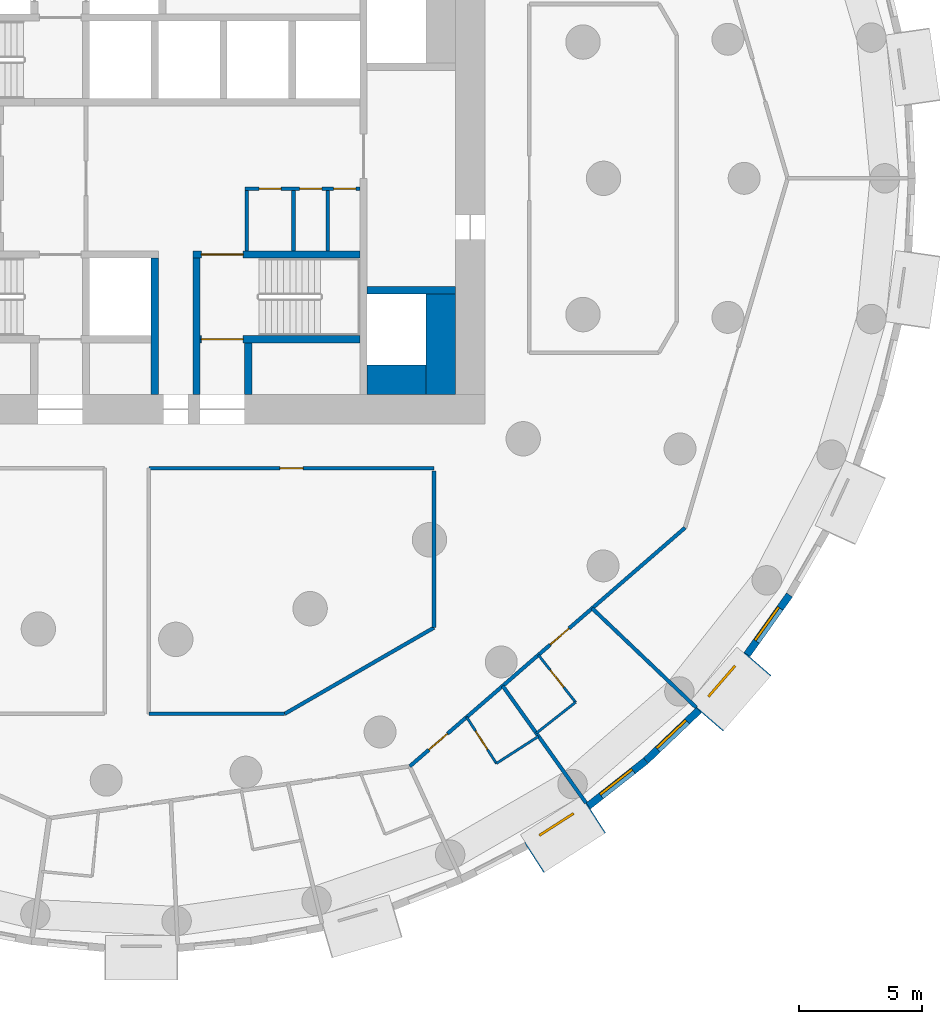
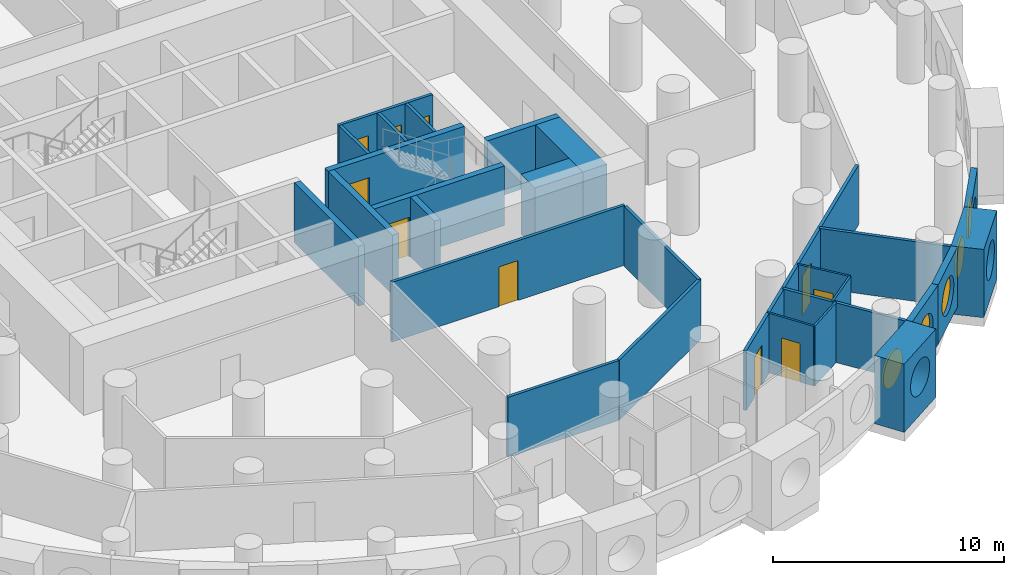
# One storey, part 5 of 11: 29 walls, 10 doors, 5 windows, 15 openings.
"""IFC4 building model written with IfcOpenShell, lengths in metres."""

from ifc_helpers import new_model, si_unit, direction, frame, frame_2d, origin, origin_2d, place, context, subcontext, project, spatial, rectangle, circle, extrude, material, layer, layer_set, type_object, element, fill, save


model = new_model("IFC4")

# Units and contexts
model_context = context("Model", 3, precision=1e-05, world=origin(), true_north=direction((0.0, 1.0)))
body_context = subcontext(model_context, "Body", "Model", "MODEL_VIEW")
ifc_project = project(units=[si_unit("LENGTHUNIT", "METRE"), si_unit("AREAUNIT", "SQUARE_METRE"), si_unit("VOLUMEUNIT", "CUBIC_METRE"), si_unit("PLANEANGLEUNIT", "RADIAN"), si_unit("MASSUNIT", "GRAM", prefix="KILO")], contexts=[model_context])

# Site, building, storey
site_placement = place(None, origin())
site = spatial("IfcSite", under=ifc_project, at=site_placement, CompositionType="ELEMENT")
building_placement = place(site_placement, origin())
building = spatial("IfcBuilding", under=site, at=building_placement, Name="Tracery Tower", CompositionType="ELEMENT")
storey_placement = place(building_placement, frame((0.0, 0.0, 100.199951171875)))
storey = spatial("IfcBuildingStorey", under=building, at=storey_placement, Name="L25", CompositionType="ELEMENT", Elevation=100.199951171875)

# Wall
ifc_material_1 = material(Name="Plasterboard on steel studs", Category="steel")
ifc_layer_1 = layer(ifc_material_1, 0.14990234375)
ifc_layer_set_1 = layer_set([ifc_layer_1], Name="Core room partition 150")
wall_type_1 = type_object("IfcWallType", Name="Core room partition 150", PredefinedType="SOLIDWALL", material=ifc_layer_set_1)
wall_1_placement = place(storey_placement, frame((4.300048828125, -2.949951171875, 0.0), z_axis=(0.0, 0.0, 1.0), x_axis=(0.0, 1.0, 0.0)))
element("IfcWall", 1, at=wall_1_placement, inside=storey, type_object=wall_type_1, Name="L25 slot W", PredefinedType="SOLIDWALL", context=body_context, shape_type="SweptSolid", body=[
    extrude(rectangle(XDim=2.449951171875, YDim=0.14990234375, at=frame_2d((1.22509765625, 0.0))), origin(), (0.0, 0.0, 1.0), 3.150146484375),
])

# Wall, openings, doors
wall_2_placement = place(storey_placement, frame((4.22509765625, -0.425048828125, 0.0), z_axis=(0.0, 0.0, 1.0), x_axis=(1.0, 0.0, 0.0)))
wall_2 = element("IfcWall", 2, at=wall_2_placement, inside=storey, type_object=wall_type_1, Name="L25 slot N", PredefinedType="SOLIDWALL", context=body_context, shape_type="SweptSolid", body=[
    extrude(rectangle(XDim=4.6748046875, YDim=0.14990234375, at=frame_2d((2.33740234375, 0.0))), origin(), (0.0, 0.0, 1.0), 3.150146484375),
])
opening_1_placement = place(wall_2_placement, frame((0.574951171875, 0.0, 0.0)))
opening_1 = element("IfcOpeningElement", 3, at=opening_1_placement, cuts=wall_2, Name="Opening KD22", PredefinedType="OPENING", context=body_context, shape_type="SweptSolid", body=[
    extrude(rectangle(XDim=0.89990234375, YDim=2.10009765625, at=frame_2d((0.449951171875, 1.050048828125))), frame((0.0, 0.074951171875, 0.0), z_axis=(0.0, -1.0, 0.0), x_axis=(1.0, 0.0, 0.0)), (0.0, 0.0, 1.0), 0.14990234375),
])
opening_2_placement = place(wall_2_placement, frame((2.22509765625, 0.0, 0.0)))
opening_2 = element("IfcOpeningElement", 4, at=opening_2_placement, cuts=wall_2, Name="Opening KD26", PredefinedType="OPENING", context=body_context, shape_type="SweptSolid", body=[
    extrude(rectangle(XDim=0.89990234375, YDim=2.10009765625, at=frame_2d((0.449951171875, 1.050048828125))), frame((0.0, 0.074951171875, 0.0), z_axis=(0.0, -1.0, 0.0), x_axis=(1.0, 0.0, 0.0)), (0.0, 0.0, 1.0), 0.14990234375),
])
opening_3_placement = place(wall_2_placement, frame((3.612548828125, 0.0, 0.0)))
opening_3 = element("IfcOpeningElement", 5, at=opening_3_placement, cuts=wall_2, Name="Opening KD27", PredefinedType="OPENING", context=body_context, shape_type="SweptSolid", body=[
    extrude(rectangle(XDim=0.89990234375, YDim=2.10009765625, at=frame_2d((0.449951171875, 1.050048828125))), frame((0.0, 0.074951171875, 0.0), z_axis=(0.0, -1.0, 0.0), x_axis=(1.0, 0.0, 0.0)), (0.0, 0.0, 1.0), 0.14990234375),
])
ifc_material_2 = material(Name="Timber door leaf", Category="wood")
door_type_1 = type_object("IfcDoorType", Name="Core WC door 900", OperationType="NOTDEFINED", PredefinedType="DOOR", material=ifc_material_2)
door_1_placement = place(opening_1_placement, origin())
door_1 = element("IfcDoor", 6, at=door_1_placement, inside=storey, type_object=door_type_1, Name="Core door", OperationType="SINGLE_SWING_RIGHT", OverallHeight=2.10009765625, OverallWidth=0.89990234375, PredefinedType="DOOR", context=body_context, shape_type="SweptSolid", body=[
    extrude(rectangle(XDim=0.89990234375, YDim=2.10009765625, at=frame_2d((0.449951171875, 1.050048828125))), frame((0.0, 0.02490234375, 0.0), z_axis=(0.0, -1.0, 0.0), x_axis=(1.0, 0.0, 0.0)), (0.0, 0.0, 1.0), 0.050048828125),
])
fill(opening_1, door_1)
ifc_material_3 = material(Name="Timber door leaf", Category="wood")
door_type_2 = type_object("IfcDoorType", Name="Core store door 900", OperationType="NOTDEFINED", PredefinedType="DOOR", material=ifc_material_3)
door_2_placement = place(opening_2_placement, origin())
door_2 = element("IfcDoor", 7, at=door_2_placement, inside=storey, type_object=door_type_2, Name="Core door", OperationType="SINGLE_SWING_LEFT", OverallHeight=2.10009765625, OverallWidth=0.89990234375, PredefinedType="DOOR", context=body_context, shape_type="SweptSolid", body=[
    extrude(rectangle(XDim=0.89990234375, YDim=2.10009765625, at=frame_2d((0.449951171875, 1.050048828125))), frame((0.0, 0.02490234375, 0.0), z_axis=(0.0, -1.0, 0.0), x_axis=(1.0, 0.0, 0.0)), (0.0, 0.0, 1.0), 0.050048828125),
])
fill(opening_2, door_2)
door_3_placement = place(opening_3_placement, origin())
door_3 = element("IfcDoor", 8, at=door_3_placement, inside=storey, type_object=door_type_2, Name="Core door", OperationType="SINGLE_SWING_RIGHT", OverallHeight=2.10009765625, OverallWidth=0.89990234375, PredefinedType="DOOR", context=body_context, shape_type="SweptSolid", body=[
    extrude(rectangle(XDim=0.89990234375, YDim=2.10009765625, at=frame_2d((0.449951171875, 1.050048828125))), frame((0.0, 0.02490234375, 0.0), z_axis=(0.0, -1.0, 0.0), x_axis=(1.0, 0.0, 0.0)), (0.0, 0.0, 1.0), 0.050048828125),
])
fill(opening_3, door_3)

# Walls
for number, where, z_axis, x_axis, name in (
    (9, (6.199951171875, -2.949951171875, 0.0), (0.0, 0.0, 1.0), (0.0, 1.0, 0.0), "L25 slot sep 1"),
    (10, (7.60009765625, -2.949951171875, 0.0), (0.0, 0.0, 1.0), (0.0, 1.0, 0.0), "L25 slot sep 2"),
):
    element("IfcWall", number, at=place(storey_placement, frame(where, z_axis=z_axis, x_axis=x_axis)), inside=storey, type_object=wall_type_1, Name=name, PredefinedType="SOLIDWALL", context=body_context, shape_type="SweptSolid", body=[
        extrude(rectangle(XDim=2.449951171875, YDim=0.14990234375, at=frame_2d((1.22509765625, 0.0))), origin(), (0.0, 0.0, 1.0), 3.150146484375),
    ])
ifc_material_4 = material(Name="Concrete C60/75", Category="concrete")
ifc_layer_2 = layer(ifc_material_4, 1.199951171875)
ifc_layer_set_2 = layer_set([ifc_layer_2], Name="Core strip wall 1200 C60")
wall_type_2 = type_object("IfcWallType", Name="Core strip wall 1200 C60", PredefinedType="SOLIDWALL", material=ifc_layer_set_2)
wall_3_placement = place(storey_placement, frame((12.199951171875, -8.800048828125, 0.0), z_axis=(0.0, 0.0, 1.0), x_axis=(0.0, 1.0, 0.0)))
element("IfcWall", 11, at=wall_3_placement, inside=storey, type_object=wall_type_2, Name="L25 wing strip +1 -9.4", PredefinedType="SOLIDWALL", context=body_context, shape_type="SweptSolid", body=[
    extrude(rectangle(XDim=4.10009765625, YDim=1.199951171875, at=frame_2d((2.050048828125, 0.0))), origin(), (0.0, 0.0, 1.0), 3.150146484375),
])
wall_4_placement = place(storey_placement, frame((9.199951171875, -8.199951171875, 0.0), z_axis=(0.0, 0.0, 1.0), x_axis=(1.0, 0.0, 0.0)))
element("IfcWall", 12, at=wall_4_placement, inside=storey, type_object=wall_type_2, Name="L25 wing corner +1 -8.2", PredefinedType="SOLIDWALL", context=body_context, shape_type="SweptSolid", body=[
    extrude(rectangle(XDim=2.400146484375, YDim=1.199951171875, at=frame_2d((1.2001953125, 0.0))), origin(), (0.0, 0.0, 1.0), 3.150146484375),
])

# Wall, opening, window
ifc_material_5 = material(Name="Precast concrete C50/60", Category="concrete")
ifc_layer_3 = layer(ifc_material_5, 1.449951171875)
ifc_layer_set_3 = layer_set([ifc_layer_3], Name="Deep-set bay unit 3000 x 3600, slab edge 450")
wall_type_3 = type_object("IfcWallType", Name="Deep-set bay unit 3000 x 3600, slab edge 450", PredefinedType="ELEMENTEDWALL", material=ifc_layer_set_3)
wall_5_placement = place(storey_placement, frame((15.9921875, -27.65869140625, -0.449951171875), z_axis=(0.0, 0.0, 1.0), x_axis=(0.841223422347, 0.540687667415, 0.0)))
wall_5 = element("IfcWall", 13, at=wall_5_placement, inside=storey, type_object=wall_type_3, Name="Deep-set bay unit 56 at L25", PredefinedType="ELEMENTEDWALL", context=body_context, shape_type="SweptSolid", body=[
    extrude(rectangle(XDim=3.0, YDim=1.449951171875, at=frame_2d((1.5, 0.0))), origin(), (0.0, 0.0, 1.0), 3.60009765625),
])
opening_4_placement = place(wall_5_placement, frame((1.5, 0.0, 2.0)))
opening_4 = element("IfcOpeningElement", 14, at=opening_4_placement, cuts=wall_5, Name="Opening WN1", PredefinedType="OPENING", context=body_context, shape_type="SweptSolid", body=[
    extrude(circle(Radius=0.9000244140625, at=origin_2d()), frame((0.0, 0.73486328125, 0.0), z_axis=(0.0, -1.0, 0.0), x_axis=(1.0, 0.0, 0.0)), (0.0, 0.0, 1.0), 1.469970703125),
])
ifc_material_6 = material(Name="Aluminium frame with tinted double glazing", Category="aluminium")
window_type = type_object("IfcWindowType", Name="Round window 1800", PartitioningType="SINGLE_PANEL", PredefinedType="WINDOW", material=ifc_material_6)
window_1_placement = place(opening_4_placement, origin())
window_1 = element("IfcWindow", 15, at=window_1_placement, inside=storey, type_object=window_type, Name="Round window 56 at L25", OverallHeight=1.800048828125, OverallWidth=1.800048828125, PartitioningType="SINGLE_PANEL", PredefinedType="WINDOW", context=body_context, shape_type="SweptSolid", body=[
    extrude(circle(Radius=0.9000244140625, at=origin_2d()), frame((0.0, 0.69482421875, 0.0), z_axis=(0.0, -1.0, 0.0), x_axis=(1.0, 0.0, 0.0)), (0.0, 0.0, 1.0), 0.10009765625),
])
fill(opening_4, window_1)

wall_6_placement = place(storey_placement, frame((23.13671875, -22.03271484375, -0.449951171875), z_axis=(0.0, 0.0, 1.0), x_axis=(0.654890259022, 0.75572398972, 0.0)))
wall_6 = element("IfcWall", 16, at=wall_6_placement, inside=storey, type_object=wall_type_3, Name="Deep-set bay unit 59 at L25", PredefinedType="ELEMENTEDWALL", context=body_context, shape_type="SweptSolid", body=[
    extrude(rectangle(XDim=3.0, YDim=1.449951171875, at=frame_2d((1.5, 0.0))), origin(), (0.0, 0.0, 1.0), 3.60009765625),
])
opening_5_placement = place(wall_6_placement, frame((1.5, 0.0, 2.0)))
opening_5 = element("IfcOpeningElement", 17, at=opening_5_placement, cuts=wall_6, Name="Opening WN1", PredefinedType="OPENING", context=body_context, shape_type="SweptSolid", body=[
    extrude(circle(Radius=0.9000244140625, at=origin_2d()), frame((0.0, 0.73486328125, 0.0), z_axis=(0.0, -1.0, 0.0), x_axis=(1.0, 0.0, 0.0)), (0.0, 0.0, 1.0), 1.469970703125),
])
window_2_placement = place(opening_5_placement, origin())
window_2 = element("IfcWindow", 18, at=window_2_placement, inside=storey, type_object=window_type, Name="Round window 59 at L25", OverallHeight=1.800048828125, OverallWidth=1.800048828125, PartitioningType="SINGLE_PANEL", PredefinedType="WINDOW", context=body_context, shape_type="SweptSolid", body=[
    extrude(circle(Radius=0.9000244140625, at=origin_2d()), frame((0.0, 0.69482421875, 0.0), z_axis=(0.0, -1.0, 0.0), x_axis=(1.0, 0.0, 0.0)), (0.0, 0.0, 1.0), 0.10009765625),
])
fill(opening_5, window_2)

ifc_material_7 = material(Name="Precast concrete C50/60", Category="concrete")
ifc_layer_4 = layer(ifc_material_7, 0.300048828125)
ifc_layer_set_4 = layer_set([ifc_layer_4], Name="Facade panel 3000 x 3150")
wall_type_4 = type_object("IfcWallType", Name="Facade panel 3000 x 3150", PredefinedType="SOLIDWALL", material=ifc_layer_set_4)
wall_7_placement = place(storey_placement, frame((18.20361328125, -25.55322265625, 0.0), z_axis=(0.0, 0.0, 1.0), x_axis=(0.786045331304, 0.618168858108, 0.0)))
wall_7 = element("IfcWall", 19, at=wall_7_placement, inside=storey, type_object=wall_type_4, Name="Facade panel 57 at L25", PredefinedType="SOLIDWALL", context=body_context, shape_type="SweptSolid", body=[
    extrude(rectangle(XDim=2.979736328125, YDim=0.300048828125, at=frame_2d((1.48974609375, 0.0))), origin(), (0.0, 0.0, 1.0), 3.150146484375),
])
opening_6_placement = place(wall_7_placement, frame((1.48974609375, 0.0, 1.5498046875)))
opening_6 = element("IfcOpeningElement", 20, at=opening_6_placement, cuts=wall_7, Name="Opening WN1", PredefinedType="OPENING", context=body_context, shape_type="SweptSolid", body=[
    extrude(circle(Radius=0.9000244140625, at=origin_2d()), frame((0.0, 0.159912109375, 0.0), z_axis=(0.0, -1.0, 0.0), x_axis=(1.0, 0.0, 0.0)), (0.0, 0.0, 1.0), 0.320068359375),
])
window_3_placement = place(opening_6_placement, origin())
window_3 = element("IfcWindow", 21, at=window_3_placement, inside=storey, type_object=window_type, Name="Round window 57 at L25", OverallHeight=1.800048828125, OverallWidth=1.800048828125, PartitioningType="SINGLE_PANEL", PredefinedType="WINDOW", context=body_context, shape_type="SweptSolid", body=[
    extrude(circle(Radius=0.9000244140625, at=origin_2d()), frame((0.0, 0.1201171875, 0.0), z_axis=(0.0, -1.0, 0.0), x_axis=(1.0, 0.0, 0.0)), (0.0, 0.0, 1.0), 0.10009765625),
])
fill(opening_6, window_3)

wall_8_placement = place(storey_placement, frame((20.5458984375, -23.711181640625, 0.0), z_axis=(0.0, 0.0, 1.0), x_axis=(0.723744206617, 0.690068346896, 0.0)))
wall_8 = element("IfcWall", 22, at=wall_8_placement, inside=storey, type_object=wall_type_4, Name="Facade panel 58 at L25", PredefinedType="SOLIDWALL", context=body_context, shape_type="SweptSolid", body=[
    extrude(rectangle(XDim=2.979736328125, YDim=0.300048828125, at=frame_2d((1.48974609375, 0.0))), origin(), (0.0, 0.0, 1.0), 3.150146484375),
])
opening_7_placement = place(wall_8_placement, frame((1.48974609375, 0.0, 1.5498046875)))
opening_7 = element("IfcOpeningElement", 23, at=opening_7_placement, cuts=wall_8, Name="Opening WN1", PredefinedType="OPENING", context=body_context, shape_type="SweptSolid", body=[
    extrude(circle(Radius=0.9000244140625, at=origin_2d()), frame((0.0, 0.159912109375, 0.0), z_axis=(0.0, -1.0, 0.0), x_axis=(1.0, 0.0, 0.0)), (0.0, 0.0, 1.0), 0.320068359375),
])
window_4_placement = place(opening_7_placement, origin())
window_4 = element("IfcWindow", 24, at=window_4_placement, inside=storey, type_object=window_type, Name="Round window 58 at L25", OverallHeight=1.800048828125, OverallWidth=1.800048828125, PartitioningType="SINGLE_PANEL", PredefinedType="WINDOW", context=body_context, shape_type="SweptSolid", body=[
    extrude(circle(Radius=0.9000244140625, at=origin_2d()), frame((0.0, 0.1201171875, 0.0), z_axis=(0.0, -1.0, 0.0), x_axis=(1.0, 0.0, 0.0)), (0.0, 0.0, 1.0), 0.10009765625),
])
fill(opening_7, window_4)

wall_9_placement = place(storey_placement, frame((24.66552734375, -19.389404296875, 0.0), z_axis=(0.0, 0.0, 1.0), x_axis=(0.580059407678, 0.81457417315, 0.0)))
wall_9 = element("IfcWall", 25, at=wall_9_placement, inside=storey, type_object=wall_type_4, Name="Facade panel 60 at L25", PredefinedType="SOLIDWALL", context=body_context, shape_type="SweptSolid", body=[
    extrude(rectangle(XDim=2.9794921875, YDim=0.300048828125, at=frame_2d((1.48974609375, 0.0))), origin(), (0.0, 0.0, 1.0), 3.150146484375),
])
opening_8_placement = place(wall_9_placement, frame((1.48974609375, 0.0, 1.5498046875)))
opening_8 = element("IfcOpeningElement", 26, at=opening_8_placement, cuts=wall_9, Name="Opening WN1", PredefinedType="OPENING", context=body_context, shape_type="SweptSolid", body=[
    extrude(circle(Radius=0.9000244140625, at=origin_2d()), frame((0.0, 0.159912109375, 0.0), z_axis=(0.0, -1.0, 0.0), x_axis=(1.0, 0.0, 0.0)), (0.0, 0.0, 1.0), 0.320068359375),
])
window_5_placement = place(opening_8_placement, origin())
window_5 = element("IfcWindow", 27, at=window_5_placement, inside=storey, type_object=window_type, Name="Round window 60 at L25", OverallHeight=1.800048828125, OverallWidth=1.800048828125, PartitioningType="SINGLE_PANEL", PredefinedType="WINDOW", context=body_context, shape_type="SweptSolid", body=[
    extrude(circle(Radius=0.9000244140625, at=origin_2d()), frame((0.0, 0.1201171875, 0.0), z_axis=(0.0, -1.0, 0.0), x_axis=(1.0, 0.0, 0.0)), (0.0, 0.0, 1.0), 0.10009765625),
])
fill(opening_8, window_5)

# Wall, opening, door
ifc_material_8 = material(Name="Plasterboard on steel studs", Category="steel")
ifc_layer_5 = layer(ifc_material_8, 0.10009765625)
ifc_layer_set_5 = layer_set([ifc_layer_5], Name="Partition 100 wet wall")
wall_type_5 = type_object("IfcWallType", Name="Partition 100 wet wall", PredefinedType="PARTITIONING", material=ifc_layer_set_5)
wall_10_placement = place(storey_placement, frame((13.248046875, -21.93505859375, 0.0), z_axis=(0.0, 0.0, 1.0), x_axis=(0.540597960994, -0.841281073464, 0.0)))
wall_10 = element("IfcWall", 28, at=wall_10_placement, inside=storey, type_object=wall_type_5, Name="Wet wall RA7-082", PredefinedType="PARTITIONING", context=body_context, shape_type="SweptSolid", body=[
    extrude(rectangle(XDim=2.24169921875, YDim=0.10009765625, at=frame_2d((1.120849609375, 0.0))), origin(), (0.0, 0.0, 1.0), 3.150146484375),
])
opening_9_placement = place(wall_10_placement, frame((0.6708984375, 0.0, 0.0)))
opening_9 = element("IfcOpeningElement", 29, at=opening_9_placement, cuts=wall_10, Name="Opening RA7-33", PredefinedType="OPENING", context=body_context, shape_type="SweptSolid", body=[
    extrude(rectangle(XDim=0.89990234375, YDim=2.0400390625, at=frame_2d((0.449951171875, 1.02001953125))), frame((0.0, 0.050048828125, 0.0), z_axis=(0.0, -1.0, 0.0), x_axis=(1.0, 0.0, 0.0)), (0.0, 0.0, 1.0), 0.10009765625),
])
ifc_material_9 = material(Name="Timber door leaf", Category="wood")
door_type_3 = type_object("IfcDoorType", Name="Door en-suite 900", OperationType="NOTDEFINED", PredefinedType="DOOR", material=ifc_material_9)
door_4_placement = place(opening_9_placement, origin())
door_4 = element("IfcDoor", 30, at=door_4_placement, inside=storey, type_object=door_type_3, Name="En-suite door RA7-33", OperationType="SINGLE_SWING_RIGHT", OverallHeight=2.0400390625, OverallWidth=0.89990234375, PredefinedType="DOOR", context=body_context, shape_type="SweptSolid", body=[
    extrude(rectangle(XDim=0.89990234375, YDim=2.0400390625, at=frame_2d((0.449951171875, 1.02001953125))), frame((0.0, 0.02490234375, 0.0), z_axis=(0.0, -1.0, 0.0), x_axis=(1.0, 0.0, 0.0)), (0.0, 0.0, 1.0), 0.050048828125),
])
fill(opening_9, door_4)

# Walls
wall_11_placement = place(storey_placement, frame((14.4599609375, -23.821044921875, 0.0), z_axis=(0.0, 0.0, 1.0), x_axis=(0.841135728185, 0.540824081168, 0.0)))
element("IfcWall", 31, at=wall_11_placement, inside=storey, type_object=wall_type_5, Name="Wet wall RA7-083", PredefinedType="PARTITIONING", context=body_context, shape_type="SweptSolid", body=[
    extrude(rectangle(XDim=2.041259765625, YDim=0.10009765625, at=frame_2d((1.0205078125, 0.0))), origin(), (0.0, 0.0, 1.0), 3.150146484375),
])
wall_12_placement = place(storey_placement, frame((16.0859375, -22.589111328125, 0.0), z_axis=(0.0, 0.0, 1.0), x_axis=(0.785984904201, 0.618245687707, 0.0)))
element("IfcWall", 32, at=wall_12_placement, inside=storey, type_object=wall_type_5, Name="Wet wall RA7-085", PredefinedType="PARTITIONING", context=body_context, shape_type="SweptSolid", body=[
    extrude(rectangle(XDim=2.033203125, YDim=0.10009765625, at=frame_2d((1.0166015625, 0.0))), origin(), (0.0, 0.0, 1.0), 3.150146484375),
])

# Wall, opening, door
wall_13_placement = place(storey_placement, frame((16.16796875, -19.404052734375, 0.0), z_axis=(0.0, 0.0, 1.0), x_axis=(0.618142414415, -0.786066126672, 0.0)))
wall_13 = element("IfcWall", 33, at=wall_13_placement, inside=storey, type_object=wall_type_5, Name="Wet wall RA7-086", PredefinedType="PARTITIONING", context=body_context, shape_type="SweptSolid", body=[
    extrude(rectangle(XDim=2.45263671875, YDim=0.10009765625, at=frame_2d((1.226318359375, 0.0))), origin(), (0.0, 0.0, 1.0), 3.150146484375),
])
opening_10_placement = place(wall_13_placement, frame((0.776611328125, 0.0, 0.0)))
opening_10 = element("IfcOpeningElement", 34, at=opening_10_placement, cuts=wall_13, Name="Opening RA7-35", PredefinedType="OPENING", context=body_context, shape_type="SweptSolid", body=[
    extrude(rectangle(XDim=0.89990234375, YDim=2.0400390625, at=frame_2d((0.449951171875, 1.02001953125))), frame((0.0, 0.050048828125, 0.0), z_axis=(0.0, -1.0, 0.0), x_axis=(1.0, 0.0, 0.0)), (0.0, 0.0, 1.0), 0.10009765625),
])
door_5_placement = place(opening_10_placement, origin())
door_5 = element("IfcDoor", 35, at=door_5_placement, inside=storey, type_object=door_type_3, Name="En-suite door RA7-35", OperationType="SINGLE_SWING_LEFT", OverallHeight=2.0400390625, OverallWidth=0.89990234375, PredefinedType="DOOR", context=body_context, shape_type="SweptSolid", body=[
    extrude(rectangle(XDim=0.89990234375, YDim=2.0400390625, at=frame_2d((0.449951171875, 1.02001953125))), frame((0.0, 0.02490234375, 0.0), z_axis=(0.0, -1.0, 0.0), x_axis=(1.0, 0.0, 0.0)), (0.0, 0.0, 1.0), 0.050048828125),
])
fill(opening_10, door_5)

# Walls
ifc_material_10 = material(Name="Plasterboard on steel studs", Category="steel")
ifc_layer_6 = layer(ifc_material_10, 0.14990234375)
ifc_layer_set_6 = layer_set([ifc_layer_6], Name="Partition 150 acoustic unit wall")
wall_type_6 = type_object("IfcWallType", Name="Partition 150 acoustic unit wall", PredefinedType="PARTITIONING", material=ifc_layer_set_6)
wall_14_placement = place(storey_placement, frame((14.71533203125, -20.663818359375, 0.0), z_axis=(0.0, 0.0, 1.0), x_axis=(0.57995989616, -0.814645026282, 0.0)))
element("IfcWall", 36, at=wall_14_placement, inside=storey, type_object=wall_type_6, Name="Unit wall RA7-084", PredefinedType="PARTITIONING", context=body_context, shape_type="SweptSolid", body=[
    extrude(rectangle(XDim=5.85693359375, YDim=0.14990234375, at=frame_2d((2.928466796875, 0.0))), origin(), (0.0, 0.0, 1.0), 3.150146484375),
])
wall_15_placement = place(storey_placement, frame((18.35888671875, -17.506103515625, 0.0), z_axis=(0.0, 0.0, 1.0), x_axis=(0.723808715798, -0.690000683286, 0.0)))
element("IfcWall", 37, at=wall_15_placement, inside=storey, type_object=wall_type_6, Name="Unit wall RA7-087", PredefinedType="PARTITIONING", context=body_context, shape_type="SweptSolid", body=[
    extrude(rectangle(XDim=5.8564453125, YDim=0.14990234375, at=frame_2d((2.92822265625, 0.0))), origin(), (0.0, 0.0, 1.0), 3.150146484375),
])

# Wall, opening, door
ifc_material_11 = material(Name="Plasterboard on steel studs", Category="steel")
ifc_layer_7 = layer(ifc_material_11, 0.14990234375)
ifc_layer_set_7 = layer_set([ifc_layer_7], Name="Partition 150 corridor wall")
wall_type_7 = type_object("IfcWallType", Name="Partition 150 corridor wall", PredefinedType="PARTITIONING", material=ifc_layer_set_7)
wall_16_placement = place(storey_placement, frame((0.305908203125, -11.800048828125, 0.0), z_axis=(0.0, 0.0, 1.0), x_axis=(1.0, 0.0, 0.0)))
wall_16 = element("IfcWall", 38, at=wall_16_placement, inside=storey, type_object=wall_type_7, Name="Corridor wall RA7-004", PredefinedType="PARTITIONING", context=body_context, shape_type="SweptSolid", body=[
    extrude(rectangle(XDim=11.6181640625, YDim=0.14990234375, at=frame_2d((5.80908203125, 0.0))), origin(), (0.0, 0.0, 1.0), 3.150146484375),
])
opening_11_placement = place(wall_16_placement, frame((5.333984375, 0.0, 0.0)))
opening_11 = element("IfcOpeningElement", 39, at=opening_11_placement, cuts=wall_16, Name="Opening RA7-04", PredefinedType="OPENING", context=body_context, shape_type="SweptSolid", body=[
    extrude(rectangle(XDim=0.949951171875, YDim=2.10009765625, at=frame_2d((0.47509765625, 1.050048828125))), frame((0.0, 0.074951171875, 0.0), z_axis=(0.0, -1.0, 0.0), x_axis=(1.0, 0.0, 0.0)), (0.0, 0.0, 1.0), 0.14990234375),
])
ifc_material_12 = material(Name="Timber door leaf", Category="wood")
door_type_4 = type_object("IfcDoorType", Name="Door store 950", OperationType="NOTDEFINED", PredefinedType="DOOR", material=ifc_material_12)
door_6_placement = place(opening_11_placement, origin())
door_6 = element("IfcDoor", 40, at=door_6_placement, inside=storey, type_object=door_type_4, Name="Store door RA7-04", OperationType="SINGLE_SWING_LEFT", OverallHeight=2.10009765625, OverallWidth=0.949951171875, PredefinedType="DOOR", context=body_context, shape_type="SweptSolid", body=[
    extrude(rectangle(XDim=0.949951171875, YDim=2.10009765625, at=frame_2d((0.47509765625, 1.050048828125))), frame((0.0, 0.02490234375, 0.0), z_axis=(0.0, -1.0, 0.0), x_axis=(1.0, 0.0, 0.0)), (0.0, 0.0, 1.0), 0.050048828125),
])
fill(opening_11, door_6)

wall_17_placement = place(storey_placement, frame((13.247314453125, -21.939453125, 0.0), z_axis=(0.0, 0.0, 1.0), x_axis=(0.755420750547, 0.655240024451, 0.0)))
wall_17 = element("IfcWall", 41, at=wall_17_placement, inside=storey, type_object=wall_type_7, Name="Corridor wall RA7-014", PredefinedType="PARTITIONING", context=body_context, shape_type="SweptSolid", body=[
    extrude(rectangle(XDim=11.770751953125, YDim=0.14990234375, at=frame_2d((5.88525390625, 0.0))), origin(), (0.0, 0.0, 1.0), 3.150146484375),
])
opening_12_placement = place(wall_17_placement, frame((4.512939453125, 0.0, 0.0)))
opening_12 = element("IfcOpeningElement", 42, at=opening_12_placement, cuts=wall_17, Name="Opening RA7-36", PredefinedType="OPENING", context=body_context, shape_type="SweptSolid", body=[
    extrude(rectangle(XDim=1.0, YDim=2.10009765625, at=frame_2d((0.5, 1.050048828125))), frame((0.0, 0.074951171875, 0.0), z_axis=(0.0, -1.0, 0.0), x_axis=(1.0, 0.0, 0.0)), (0.0, 0.0, 1.0), 0.14990234375),
])
ifc_material_13 = material(Name="Timber door leaf", Category="wood")
door_type_5 = type_object("IfcDoorType", Name="Door unit entrance 1000", OperationType="NOTDEFINED", PredefinedType="DOOR", material=ifc_material_13)
door_7_placement = place(opening_12_placement, origin())
door_7 = element("IfcDoor", 43, at=door_7_placement, inside=storey, type_object=door_type_5, Name="Unit entrance door RA7-36", OperationType="SINGLE_SWING_LEFT", OverallHeight=2.10009765625, OverallWidth=1.0, PredefinedType="DOOR", context=body_context, shape_type="SweptSolid", body=[
    extrude(rectangle(XDim=1.0, YDim=2.10009765625, at=frame_2d((0.5, 1.050048828125))), frame((0.0, 0.02490234375, 0.0), z_axis=(0.0, -1.0, 0.0), x_axis=(1.0, 0.0, 0.0)), (0.0, 0.0, 1.0), 0.050048828125),
])
fill(opening_12, door_7)

# Walls
wall_18_placement = place(storey_placement, frame((0.31005859375, -21.802001953125, 0.0), z_axis=(0.0, 0.0, 1.0), x_axis=(1.0, 0.0, 0.0)))
element("IfcWall", 44, at=wall_18_placement, inside=storey, type_object=wall_type_7, Name="Corridor wall RA7-040", PredefinedType="PARTITIONING", context=body_context, shape_type="SweptSolid", body=[
    extrude(rectangle(XDim=5.531982421875, YDim=0.14990234375, at=frame_2d((2.76611328125, 0.0))), origin(), (0.0, 0.0, 1.0), 3.150146484375),
])
wall_19_placement = place(storey_placement, frame((5.842041015625, -21.802001953125, 0.0), z_axis=(0.0, 0.0, 1.0), x_axis=(0.866027436592, 0.499996479058, 0.0)))
element("IfcWall", 45, at=wall_19_placement, inside=storey, type_object=wall_type_7, Name="Corridor wall RA7-041", PredefinedType="PARTITIONING", context=body_context, shape_type="SweptSolid", body=[
    extrude(rectangle(XDim=7.01806640625, YDim=0.14990234375, at=frame_2d((3.509033203125, 0.0))), origin(), (0.0, 0.0, 1.0), 3.150146484375),
])
wall_20_placement = place(storey_placement, frame((11.919921875, -18.29296875, 0.0), z_axis=(0.0, 0.0, 1.0), x_axis=(0.0, 1.0, 0.0)))
element("IfcWall", 46, at=wall_20_placement, inside=storey, type_object=wall_type_7, Name="Corridor wall RA7-042", PredefinedType="PARTITIONING", context=body_context, shape_type="SweptSolid", body=[
    extrude(rectangle(XDim=6.373046875, YDim=0.14990234375, at=frame_2d((3.1865234375, 0.0))), origin(), (0.0, 0.0, 1.0), 3.150146484375),
])

# Wall, opening, door
wall_21_placement = place(storey_placement, frame((10.93310546875, -23.93994140625, 0.0), z_axis=(0.0, 0.0, 1.0), x_axis=(0.755675945931, 0.654945696025, 0.0)))
wall_21 = element("IfcWall", 47, at=wall_21_placement, inside=storey, type_object=wall_type_7, Name="Corridor wall RA7-045", PredefinedType="PARTITIONING", context=body_context, shape_type="SweptSolid", body=[
    extrude(rectangle(XDim=3.06591796875, YDim=0.14990234375, at=frame_2d((1.532958984375, 0.0))), origin(), (0.0, 0.0, 1.0), 3.150146484375),
])
opening_13_placement = place(wall_21_placement, frame((1.032958984375, 0.0, 0.0)))
opening_13 = element("IfcOpeningElement", 48, at=opening_13_placement, cuts=wall_21, Name="Opening RA7-34", PredefinedType="OPENING", context=body_context, shape_type="SweptSolid", body=[
    extrude(rectangle(XDim=1.0, YDim=2.10009765625, at=frame_2d((0.5, 1.050048828125))), frame((0.0, 0.074951171875, 0.0), z_axis=(0.0, -1.0, 0.0), x_axis=(1.0, 0.0, 0.0)), (0.0, 0.0, 1.0), 0.14990234375),
])
door_8_placement = place(opening_13_placement, origin())
door_8 = element("IfcDoor", 49, at=door_8_placement, inside=storey, type_object=door_type_5, Name="Unit entrance door RA7-34", OperationType="SINGLE_SWING_LEFT", OverallHeight=2.10009765625, OverallWidth=1.0, PredefinedType="DOOR", context=body_context, shape_type="SweptSolid", body=[
    extrude(rectangle(XDim=1.0, YDim=2.10009765625, at=frame_2d((0.5, 1.050048828125))), frame((0.0, 0.02490234375, 0.0), z_axis=(0.0, -1.0, 0.0), x_axis=(1.0, 0.0, 0.0)), (0.0, 0.0, 1.0), 0.050048828125),
])
fill(opening_13, door_8)

# Walls
ifc_material_14 = material(Name="Concrete C60/75", Category="concrete")
ifc_layer_8 = layer(ifc_material_14, 0.300048828125)
ifc_layer_set_8 = layer_set([ifc_layer_8], Name="Shaft wall 300 C60")
wall_type_8 = type_object("IfcWallType", Name="Shaft wall 300 C60", PredefinedType="SOLIDWALL", material=ifc_layer_set_8)
wall_22_placement = place(storey_placement, frame((0.550048828125, -8.800048828125, 0.0), z_axis=(0.0, 0.0, 1.0), x_axis=(0.0, 1.0, 0.0)))
element("IfcWall", 50, at=wall_22_placement, inside=storey, type_object=wall_type_8, Name="L25 OB2 E", PredefinedType="SOLIDWALL", context=body_context, shape_type="SweptSolid", body=[
    extrude(rectangle(XDim=5.550048828125, YDim=0.300048828125, at=frame_2d((2.77490234375, 0.0))), origin(), (0.0, 0.0, 1.0), 3.150146484375),
])
wall_23_placement = place(storey_placement, frame((4.35009765625, -8.800048828125, 0.0), z_axis=(0.0, 0.0, 1.0), x_axis=(0.0, 1.0, 0.0)))
element("IfcWall", 51, at=wall_23_placement, inside=storey, type_object=wall_type_8, Name="L25 band S +4.35", PredefinedType="SOLIDWALL", context=body_context, shape_type="SweptSolid", body=[
    extrude(rectangle(XDim=2.10009765625, YDim=0.300048828125, at=frame_2d((1.050048828125, 0.0))), origin(), (0.0, 0.0, 1.0), 3.150146484375),
])
wall_24_placement = place(storey_placement, frame((9.199951171875, -4.550048828125, 0.0), z_axis=(0.0, 0.0, 1.0), x_axis=(1.0, 0.0, 0.0)))
element("IfcWall", 52, at=wall_24_placement, inside=storey, type_object=wall_type_8, Name="L25 wing shaft wall +1 -4.55", PredefinedType="SOLIDWALL", context=body_context, shape_type="SweptSolid", body=[
    extrude(rectangle(XDim=3.60009765625, YDim=0.300048828125, at=frame_2d((1.800048828125, 0.0))), origin(), (0.0, 0.0, 1.0), 3.150146484375),
])

# Wall, opening, door
ifc_material_15 = material(Name="Concrete C60/75", Category="concrete")
ifc_layer_9 = layer(ifc_material_15, 0.300048828125)
ifc_layer_set_9 = layer_set([ifc_layer_9], Name="Stair wall 300 C60")
wall_type_9 = type_object("IfcWallType", Name="Stair wall 300 C60", PredefinedType="SOLIDWALL", material=ifc_layer_set_9)
wall_25_placement = place(storey_placement, frame((2.10009765625, -3.10009765625, 0.0), z_axis=(0.0, 0.0, 1.0), x_axis=(1.0, 0.0, 0.0)))
wall_25 = element("IfcWall", 53, at=wall_25_placement, inside=storey, type_object=wall_type_9, Name="L25 row S E", PredefinedType="SOLIDWALL", context=body_context, shape_type="SweptSolid", body=[
    extrude(rectangle(XDim=6.7998046875, YDim=0.300048828125, at=frame_2d((3.39990234375, 0.0))), origin(), (0.0, 0.0, 1.0), 3.150146484375),
])
opening_14_placement = place(wall_25_placement, frame((0.35009765625, 0.0, 0.0)))
opening_14 = element("IfcOpeningElement", 54, at=opening_14_placement, cuts=wall_25, Name="Opening KD3", PredefinedType="OPENING", context=body_context, shape_type="SweptSolid", body=[
    extrude(rectangle(XDim=1.699951171875, YDim=2.10009765625, at=frame_2d((0.85009765625, 1.050048828125))), frame((0.0, 0.14990234375, 0.0), z_axis=(0.0, -1.0, 0.0), x_axis=(1.0, 0.0, 0.0)), (0.0, 0.0, 1.0), 0.300048828125),
])
ifc_material_16 = material(Name="Steel fire door", Category="steel")
door_type_6 = type_object("IfcDoorType", Name="Core stair door 1700 double", OperationType="NOTDEFINED", PredefinedType="DOOR", material=ifc_material_16)
door_9_placement = place(opening_14_placement, origin())
door_9 = element("IfcDoor", 55, at=door_9_placement, inside=storey, type_object=door_type_6, Name="Stair door ST2", OperationType="DOUBLE_DOOR_SINGLE_SWING", OverallHeight=2.10009765625, OverallWidth=1.699951171875, PredefinedType="DOOR", context=body_context, shape_type="SweptSolid", body=[
    extrude(rectangle(XDim=1.699951171875, YDim=2.10009765625, at=frame_2d((0.85009765625, 1.050048828125))), frame((0.0, 0.02490234375, 0.0), z_axis=(0.0, -1.0, 0.0), x_axis=(1.0, 0.0, 0.0)), (0.0, 0.0, 1.0), 0.050048828125),
])
fill(opening_14, door_9)

# Wall
wall_26_placement = place(storey_placement, frame((2.25, -8.800048828125, 0.0), z_axis=(0.0, 0.0, 1.0), x_axis=(0.0, 1.0, 0.0)))
element("IfcWall", 56, at=wall_26_placement, inside=storey, type_object=wall_type_9, Name="L25 ST2 W", PredefinedType="SOLIDWALL", context=body_context, shape_type="SweptSolid", body=[
    extrude(rectangle(XDim=5.550048828125, YDim=0.300048828125, at=frame_2d((2.77490234375, 0.0))), origin(), (0.0, 0.0, 1.0), 3.150146484375),
])

# Wall, opening, door
wall_27_placement = place(storey_placement, frame((2.39990234375, -6.550048828125, 0.0), z_axis=(0.0, 0.0, 1.0), x_axis=(1.0, 0.0, 0.0)))
wall_27 = element("IfcWall", 57, at=wall_27_placement, inside=storey, type_object=wall_type_9, Name="L25 F S E", PredefinedType="SOLIDWALL", context=body_context, shape_type="SweptSolid", body=[
    extrude(rectangle(XDim=6.5, YDim=0.300048828125, at=frame_2d((3.25, 0.0))), origin(), (0.0, 0.0, 1.0), 3.150146484375),
])
opening_15_placement = place(wall_27_placement, frame((0.050048828125, 0.0, 0.0)))
opening_15 = element("IfcOpeningElement", 58, at=opening_15_placement, cuts=wall_27, Name="Opening KD3", PredefinedType="OPENING", context=body_context, shape_type="SweptSolid", body=[
    extrude(rectangle(XDim=1.699951171875, YDim=2.10009765625, at=frame_2d((0.85009765625, 1.050048828125))), frame((0.0, 0.14990234375, 0.0), z_axis=(0.0, -1.0, 0.0), x_axis=(1.0, 0.0, 0.0)), (0.0, 0.0, 1.0), 0.300048828125),
])
door_10_placement = place(opening_15_placement, origin())
door_10 = element("IfcDoor", 59, at=door_10_placement, inside=storey, type_object=door_type_6, Name="Stair door ST2 S", OperationType="DOUBLE_DOOR_SINGLE_SWING", OverallHeight=2.10009765625, OverallWidth=1.699951171875, PredefinedType="DOOR", context=body_context, shape_type="SweptSolid", body=[
    extrude(rectangle(XDim=1.699951171875, YDim=2.10009765625, at=frame_2d((0.85009765625, 1.050048828125))), frame((0.0, 0.02490234375, 0.0), z_axis=(0.0, -1.0, 0.0), x_axis=(1.0, 0.0, 0.0)), (0.0, 0.0, 1.0), 0.050048828125),
])
fill(opening_15, door_10)

save(model, "model.ifc")
